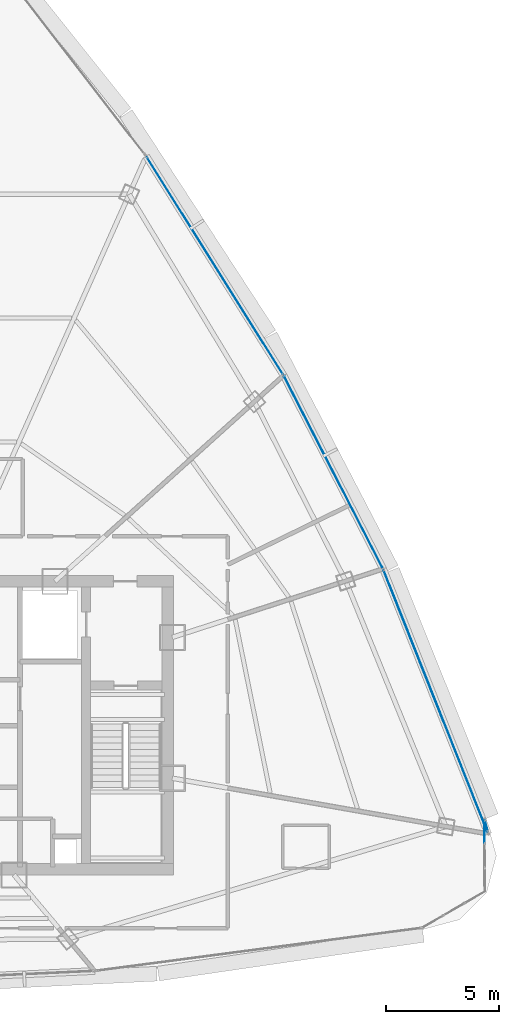
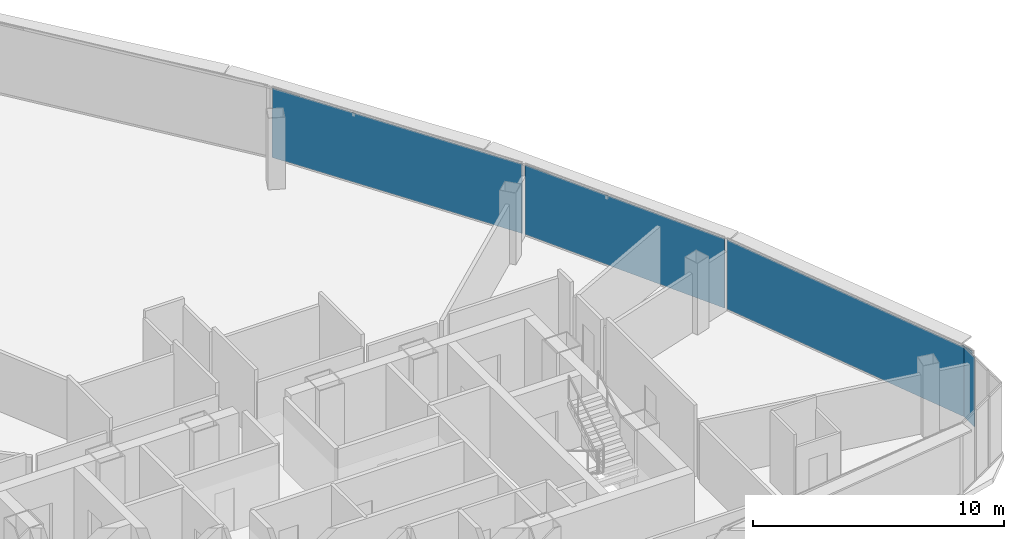
# One storey, part 23 of 29: 5 plates, 5 elements without a shape of their own.
"""IFC4 building model written with IfcOpenShell, lengths in metres."""

from ifc_helpers import new_model, si_unit, direction, frame, origin, origin_2d, place, context, subcontext, project, spatial, rectangle, extrude, source, transform, mapped, material, layer, layer_set, type_object, element, aggregate, save


model = new_model("IFC4")

# Units and contexts
model_context = context("Model", 3, precision=1e-05, world=origin(), true_north=direction((0.0, 1.0)))
body_context = subcontext(model_context, "Body", "Model", "MODEL_VIEW")
ifc_project = project(units=[si_unit("LENGTHUNIT", "METRE"), si_unit("AREAUNIT", "SQUARE_METRE"), si_unit("VOLUMEUNIT", "CUBIC_METRE"), si_unit("PLANEANGLEUNIT", "RADIAN"), si_unit("MASSUNIT", "GRAM", prefix="KILO"), si_unit("THERMODYNAMICTEMPERATUREUNIT", "KELVIN"), si_unit("POWERUNIT", "WATT")], contexts=[model_context])

# Site, building, storey
site_placement = place(None, origin())
site = spatial("IfcSite", under=ifc_project, at=site_placement, CompositionType="ELEMENT")
building_placement = place(site_placement, origin())
building = spatial("IfcBuilding", under=site, at=building_placement, Name="Yunzhuo Pagoda Commons", CompositionType="ELEMENT")
storey_placement = place(building_placement, frame((0.0, 0.0, 359.260009765625)))
storey = spatial("IfcBuildingStorey", under=building, at=storey_placement, Name="L90", CompositionType="ELEMENT", Elevation=359.260009765625)

# Curtain wall, plate
ifc_material_1 = material(Name="Anodized aluminium 6063-T6", Category="aluminium")
ifc_layer_1 = layer(ifc_material_1, 0.139892578125)
ifc_layer_set_1 = layer_set([ifc_layer_1], Name="Anodized aluminium 6063-T6")
curtain_wall_type_1 = type_object("IfcCurtainWallType", Name="CW-HI High-Zone Ribbon Curtain Wall", PredefinedType="NOTDEFINED", material=ifc_layer_set_1)
curtain_wall_1_placement = place(storey_placement, origin())
curtain_wall_1 = element("IfcCurtainWall", 1, at=curtain_wall_1_placement, inside=storey, type_object=curtain_wall_type_1, Name="L90 curtain wall CW-L90-F2B2", PredefinedType="NOTDEFINED")
ifc_material_2 = material(Name="Tempered low-e double glazing", Category="glass")
ifc_layer_2 = layer(ifc_material_2, 0.02587890625)
ifc_layer_set_2 = layer_set([ifc_layer_2], Name="Tempered low-e double glazing")
plate_type_1 = type_object("IfcPlateType", Name="CW-HI-P Low-E Double Glazing 26", PredefinedType="CURTAIN_PANEL", material=ifc_layer_set_2)
shared_shape_1 = source(origin(), body_context, "Body", "SweptSolid", [
    extrude(rectangle(XDim=12.46630859375, YDim=0.028076171875, at=origin_2d()), origin(), (0.0, 0.0, 1.0), 3.3798828125),
])
plate_1_placement = place(storey_placement, frame((72.026611328125, 34.903076171875, 0.054931640625), z_axis=(0.0, 0.0, 1.0), x_axis=(-0.368970270902, 0.929441197274, 0.0)))
plate_1 = element("IfcPlate", 2, at=plate_1_placement, type_object=plate_type_1, Name="CW panel 1.1", PredefinedType="CURTAIN_PANEL", context=body_context, shape_type="MappedRepresentation", body=[
    mapped(shared_shape_1, transform((0.0, 0.0, 0.0), scale=1.0)),
])
aggregate(curtain_wall_1, [plate_1])

curtain_wall_2_placement = place(storey_placement, origin())
curtain_wall_2 = element("IfcCurtainWall", 3, at=curtain_wall_2_placement, inside=storey, type_object=curtain_wall_type_1, Name="L90 curtain wall CW-L90-F2B3", PredefinedType="NOTDEFINED")
shared_shape_2 = source(origin(), body_context, "Body", "SweptSolid", [
    extrude(rectangle(XDim=9.480224609375, YDim=0.028076171875, at=origin_2d()), origin(), (0.0, 0.0, 1.0), 3.3798828125),
])
plate_2_placement = place(storey_placement, frame((67.509521484375, 45.021240234375, 0.054931640625), z_axis=(0.0, 0.0, 1.0), x_axis=(-0.457276461979, 0.889324596151, 0.0)))
plate_2 = element("IfcPlate", 4, at=plate_2_placement, type_object=plate_type_1, Name="CW panel 1.1", PredefinedType="CURTAIN_PANEL", context=body_context, shape_type="MappedRepresentation", body=[
    mapped(shared_shape_2, transform((0.0, 0.0, 0.0), scale=1.0)),
])
aggregate(curtain_wall_2, [plate_2])

curtain_wall_3_placement = place(storey_placement, origin())
curtain_wall_3 = element("IfcCurtainWall", 5, at=curtain_wall_3_placement, inside=storey, type_object=curtain_wall_type_1, Name="L90 curtain wall CW-L90-F2B4", PredefinedType="NOTDEFINED")
shared_shape_3 = source(origin(), body_context, "Body", "SweptSolid", [
    extrude(rectangle(XDim=11.299560546875, YDim=0.028076171875, at=origin_2d()), origin(), (0.0, 0.0, 1.0), 3.3798828125),
])
plate_3_placement = place(storey_placement, frame((62.28173828125, 54.1279296875, 0.054931640625), z_axis=(0.0, 0.0, 1.0), x_axis=(-0.531157896135, 0.847272854146, 0.0)))
plate_3 = element("IfcPlate", 6, at=plate_3_placement, type_object=plate_type_1, Name="CW panel 1.1", PredefinedType="CURTAIN_PANEL", context=body_context, shape_type="MappedRepresentation", body=[
    mapped(shared_shape_3, transform((0.0, 0.0, 0.0), scale=1.0)),
])
aggregate(curtain_wall_3, [plate_3])

curtain_wall_4_placement = place(storey_placement, origin())
curtain_wall_4 = element("IfcCurtainWall", 7, at=curtain_wall_4_placement, inside=storey, type_object=curtain_wall_type_1, Name="L90 curtain wall CW-L90-F2B1", PredefinedType="NOTDEFINED")
shared_shape_4 = source(origin(), body_context, "Body", "SweptSolid", [
    extrude(rectangle(XDim=0.4892578125, YDim=0.028076171875, at=origin_2d()), origin(), (0.0, 0.0, 1.0), 3.3798828125),
])
plate_4_placement = place(storey_placement, frame((74.255859375, 29.422119140625, 0.054931640625), z_axis=(0.0, 0.0, 1.0), x_axis=(0.244234544564, -0.969716189017, 0.0)))
plate_4 = element("IfcPlate", 8, at=plate_4_placement, type_object=plate_type_1, Name="CW panel 1.1", PredefinedType="CURTAIN_PANEL", context=body_context, shape_type="MappedRepresentation", body=[
    mapped(shared_shape_4, transform((0.0, 0.0, 0.0), scale=1.0)),
])
aggregate(curtain_wall_4, [plate_4])

ifc_layer_3 = layer(ifc_material_1, 0.1298828125)
ifc_layer_set_3 = layer_set([ifc_layer_3], Name="Anodized aluminium 6063-T6")
curtain_wall_type_2 = type_object("IfcCurtainWallType", Name="CW-VTX Rounded Corner Curtain Wall", PredefinedType="NOTDEFINED", material=ifc_layer_set_3)
curtain_wall_5_placement = place(storey_placement, origin())
curtain_wall_5 = element("IfcCurtainWall", 9, at=curtain_wall_5_placement, inside=storey, type_object=curtain_wall_type_2, Name="L90 curtain wall CW-L90-VTX2S2", PredefinedType="NOTDEFINED")
ifc_layer_4 = layer(ifc_material_2, 0.02587890625)
ifc_layer_set_4 = layer_set([ifc_layer_4], Name="Tempered low-e double glazing")
plate_type_2 = type_object("IfcPlateType", Name="CW-VTX-P Low-E Double Glazing 26", PredefinedType="CURTAIN_PANEL", material=ifc_layer_set_4)
shared_shape_5 = source(origin(), body_context, "Body", "SweptSolid", [
    extrude(rectangle(XDim=1.001220703125, YDim=0.028076171875, at=origin_2d()), origin(), (0.0, 0.0, 1.0), 3.3798828125),
])
plate_5_placement = place(storey_placement, frame((74.18359375, 29.161865234375, 0.054931640625), z_axis=(0.0, 0.0, 1.0), x_axis=(-0.003598647958, 0.999993524845, 0.0)))
plate_5 = element("IfcPlate", 10, at=plate_5_placement, type_object=plate_type_2, Name="CW panel 3.1", PredefinedType="CURTAIN_PANEL", context=body_context, shape_type="MappedRepresentation", body=[
    mapped(shared_shape_5, transform((0.0, 0.0, 0.0), scale=1.0)),
])
aggregate(curtain_wall_5, [plate_5])

save(model, "model.ifc")
